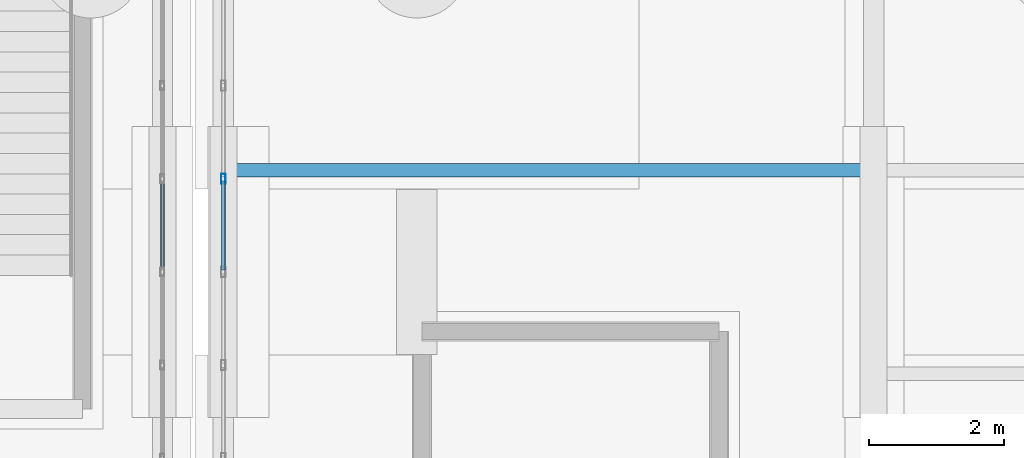
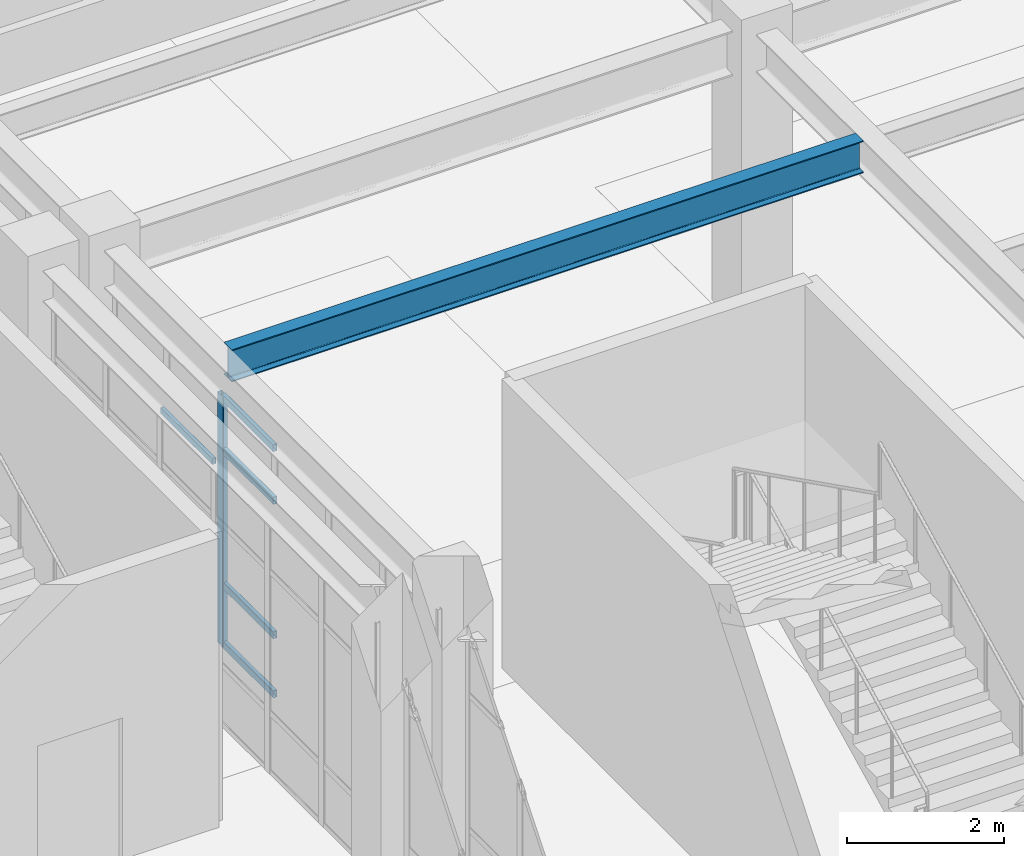
# One storey, part 70 of 139: 6 members, 1 beam, 2 elements without a shape of their own.
"""IFC4 building model written with IfcOpenShell, lengths in metres."""

from ifc_helpers import new_model, si_unit, direction, frame, origin, origin_2d, place, context, subcontext, project, spatial, hollow_rectangle, i_section, extrude, material, material_profile, profile_set, type_object, element, aggregate, save


model = new_model("IFC4")

# Units and contexts
model_context = context("Model", 3, precision=1e-05, world=origin(), true_north=direction((0.0, 1.0)))
body_context = subcontext(model_context, "Body", "Model", "MODEL_VIEW")
ifc_project = project(units=[si_unit("LENGTHUNIT", "METRE"), si_unit("AREAUNIT", "SQUARE_METRE"), si_unit("VOLUMEUNIT", "CUBIC_METRE"), si_unit("PLANEANGLEUNIT", "RADIAN"), si_unit("MASSUNIT", "GRAM", prefix="KILO")], contexts=[model_context])

# Site, building, storey
site_placement = place(None, origin())
site = spatial("IfcSite", under=ifc_project, at=site_placement, CompositionType="ELEMENT")
building_placement = place(site_placement, origin())
building = spatial("IfcBuilding", under=site, at=building_placement, Name="Canglan Escarpment Cableway Terminal", CompositionType="ELEMENT")
storey_placement = place(building_placement, frame((0.0, 0.0, 14.39990234375)))
storey = spatial("IfcBuildingStorey", under=building, at=storey_placement, Name="L03", CompositionType="ELEMENT", Elevation=14.39990234375)

# Curtain wall, member
ifc_material_1 = material(Name="Anodized bronze aluminium and Low-E double glazing", Category="aluminium")
curtain_wall_type_1 = type_object("IfcCurtainWallType", Name="CW-BAY-8250x3900", PredefinedType="NOTDEFINED", material=ifc_material_1)
curtain_wall_1_placement = place(storey_placement, origin())
curtain_wall_1 = element("IfcCurtainWall", 1, at=curtain_wall_1_placement, inside=storey, type_object=curtain_wall_type_1, Name="Classical bay-between-piers glazed curtain wall CW-62", PredefinedType="NOTDEFINED")
ifc_material_2 = material(Name="Thermally broken anodized aluminium 6063-T6", Category="aluminium")
ifc_material_profile_1 = material_profile(ifc_material_2, hollow_rectangle(XDim=0.06494140625, YDim=0.14990234375, WallThickness=0.00341796875, InnerFilletRadius=0.00341796875, OuterFilletRadius=0.007080078125, at=origin_2d()), Name="ALU-MULL 65x150x3.5")
ifc_profile_set_1 = profile_set([ifc_material_profile_1], Name="Thermally broken anodized aluminium 6063-T6")
member_type_1 = type_object("IfcMemberType", Name="CWM-02", PredefinedType="MULLION", material=ifc_profile_set_1)
member_1_placement = place(storey_placement, frame((137.60009765625, 102.875, 0.0), z_axis=(0.0, 0.0, 1.0), x_axis=(1.0, 0.0, 0.0)))
member_1 = element("IfcMember", 2, at=member_1_placement, type_object=member_type_1, Name="CW-62 mullion 3", PredefinedType="MULLION", context=body_context, shape_type="SweptSolid", body=[
    extrude(hollow_rectangle(XDim=0.06494140625, YDim=0.14990234375, WallThickness=0.00341796875, InnerFilletRadius=0.00341796875, OuterFilletRadius=0.007080078125, at=origin_2d()), origin(), (0.0, 0.0, 1.0), 3.89111328125),
])

curtain_wall_type_2 = type_object("IfcCurtainWallType", Name="CW-BAY-8250x4000", PredefinedType="NOTDEFINED", material=ifc_material_1)
curtain_wall_2_placement = place(storey_placement, origin())
curtain_wall_2 = element("IfcCurtainWall", 3, at=curtain_wall_2_placement, inside=storey, type_object=curtain_wall_type_2, Name="Classical bay-between-piers glazed curtain wall CW-48", PredefinedType="NOTDEFINED")
ifc_material_profile_2 = material_profile(ifc_material_2, hollow_rectangle(XDim=0.054931640625, YDim=0.094970703125, WallThickness=0.0029296875, InnerFilletRadius=0.0029296875, OuterFilletRadius=0.006103515625, at=origin_2d()), Name="ALU-TRAN 55x95x3")
ifc_profile_set_2 = profile_set([ifc_material_profile_2], Name="Thermally broken anodized aluminium 6063-T6")
member_type_2 = type_object("IfcMemberType", Name="CWT-01", PredefinedType="USERDEFINED", material=ifc_profile_set_2)
member_2_placement = place(storey_placement, frame((136.699951171875, 101.530029296875, 3.969482421875), z_axis=(0.0, 1.0, 0.0), x_axis=(-1.0, 0.0, 0.0)))
member_2 = element("IfcMember", 4, at=member_2_placement, type_object=member_type_2, Name="CW-48 transom 4.4", ObjectType="TRANSOM", PredefinedType="USERDEFINED", context=body_context, shape_type="SweptSolid", body=[
    extrude(hollow_rectangle(XDim=0.054931640625, YDim=0.094970703125, WallThickness=0.0029296875, InnerFilletRadius=0.0029296875, OuterFilletRadius=0.006103515625, at=origin_2d()), origin(), (0.0, 0.0, 1.0), 1.31494140625),
])
aggregate(curtain_wall_2, [member_2])

# Member
ifc_material_profile_3 = material_profile(ifc_material_2, hollow_rectangle(XDim=0.06005859375, YDim=0.110107421875, WallThickness=0.0029296875, InnerFilletRadius=0.0029296875, OuterFilletRadius=0.006103515625, at=origin_2d()), Name="ALU-TRAN 60x110x3")
ifc_profile_set_3 = profile_set([ifc_material_profile_3], Name="Thermally broken anodized aluminium 6063-T6")
member_type_3 = type_object("IfcMemberType", Name="CWT-02", PredefinedType="USERDEFINED", material=ifc_profile_set_3)
member_3_placement = place(storey_placement, frame((137.60009765625, 102.842529296875, 0.030029296875), z_axis=(0.0, -1.0, 0.0), x_axis=(1.0, 0.0, 0.0)))
member_3 = element("IfcMember", 5, at=member_3_placement, type_object=member_type_3, Name="CW-62 transom 3.1", ObjectType="TRANSOM", PredefinedType="USERDEFINED", context=body_context, shape_type="SweptSolid", body=[
    extrude(hollow_rectangle(XDim=0.06005859375, YDim=0.110107421875, WallThickness=0.0029296875, InnerFilletRadius=0.0029296875, OuterFilletRadius=0.006103515625, at=origin_2d()), origin(), (0.0, 0.0, 1.0), 1.31005859375),
])

member_4_placement = place(storey_placement, frame((137.60009765625, 102.842529296875, 0.9501953125), z_axis=(0.0, -1.0, 0.0), x_axis=(1.0, 0.0, 0.0)))
member_4 = element("IfcMember", 6, at=member_4_placement, type_object=member_type_3, Name="CW-62 transom 3.2", ObjectType="TRANSOM", PredefinedType="USERDEFINED", context=body_context, shape_type="SweptSolid", body=[
    extrude(hollow_rectangle(XDim=0.06005859375, YDim=0.110107421875, WallThickness=0.0029296875, InnerFilletRadius=0.0029296875, OuterFilletRadius=0.006103515625, at=origin_2d()), origin(), (0.0, 0.0, 1.0), 1.31005859375),
])

member_5_placement = place(storey_placement, frame((137.60009765625, 102.842529296875, 3.041015625), z_axis=(0.0, -1.0, 0.0), x_axis=(1.0, 0.0, 0.0)))
member_5 = element("IfcMember", 7, at=member_5_placement, type_object=member_type_3, Name="CW-62 transom 3.3", ObjectType="TRANSOM", PredefinedType="USERDEFINED", context=body_context, shape_type="SweptSolid", body=[
    extrude(hollow_rectangle(XDim=0.06005859375, YDim=0.110107421875, WallThickness=0.0029296875, InnerFilletRadius=0.0029296875, OuterFilletRadius=0.006103515625, at=origin_2d()), origin(), (0.0, 0.0, 1.0), 1.31005859375),
])

member_6_placement = place(storey_placement, frame((137.60009765625, 102.842529296875, 3.861083984375), z_axis=(0.0, -1.0, 0.0), x_axis=(1.0, 0.0, 0.0)))
member_6 = element("IfcMember", 8, at=member_6_placement, type_object=member_type_3, Name="CW-62 transom 3.4", ObjectType="TRANSOM", PredefinedType="USERDEFINED", context=body_context, shape_type="SweptSolid", body=[
    extrude(hollow_rectangle(XDim=0.06005859375, YDim=0.110107421875, WallThickness=0.0029296875, InnerFilletRadius=0.0029296875, OuterFilletRadius=0.006103515625, at=origin_2d()), origin(), (0.0, 0.0, 1.0), 1.31005859375),
])

aggregate(curtain_wall_1, [member_1, member_3, member_4, member_5, member_6])

# Beam
ifc_material_3 = material(Name="Steel Q355B", Category="steel")
ifc_material_profile_4 = material_profile(ifc_material_3, i_section(OverallWidth=0.199951171875, OverallDepth=0.5, WebThickness=0.010009765625, FlangeThickness=0.01611328125, FilletRadius=0.02001953125, at=origin_2d()), Name="HN 500x200x10x16")
ifc_profile_set_4 = profile_set([ifc_material_profile_4], Name="Steel Q355B")
beam_type = type_object("IfcBeamType", Name="JS-HN500", PredefinedType="JOIST", material=ifc_profile_set_4)
beam_placement = place(storey_placement, frame((137.7509765625, 103.0, 4.25), z_axis=(1.0, 0.0, 0.0), x_axis=(0.0, 1.0, 0.0)))
element("IfcBeam", 9, at=beam_placement, inside=storey, type_object=beam_type, Name="Secondary composite deck joist J-01", PredefinedType="JOIST", context=body_context, shape_type="SweptSolid", body=[
    extrude(i_section(OverallWidth=0.199951171875, OverallDepth=0.5, WebThickness=0.010009765625, FlangeThickness=0.01611328125, FilletRadius=0.02001953125, at=origin_2d()), origin(), (0.0, 0.0, 1.0), 9.298095703125),
])

save(model, "model.ifc")
